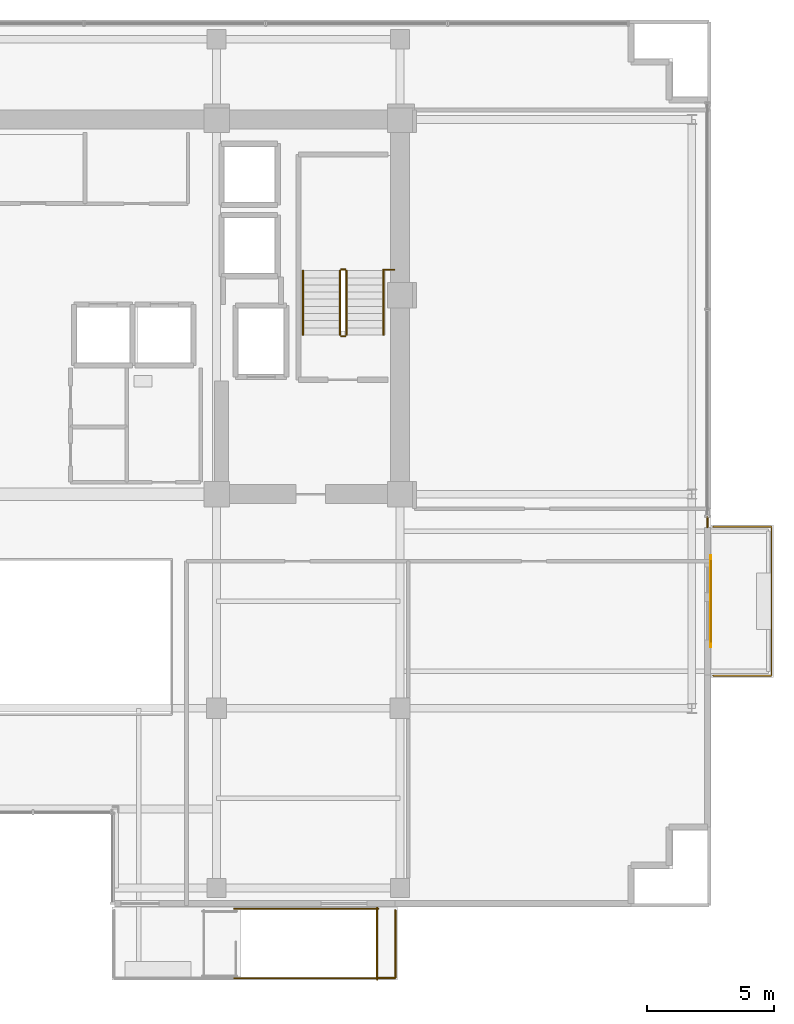
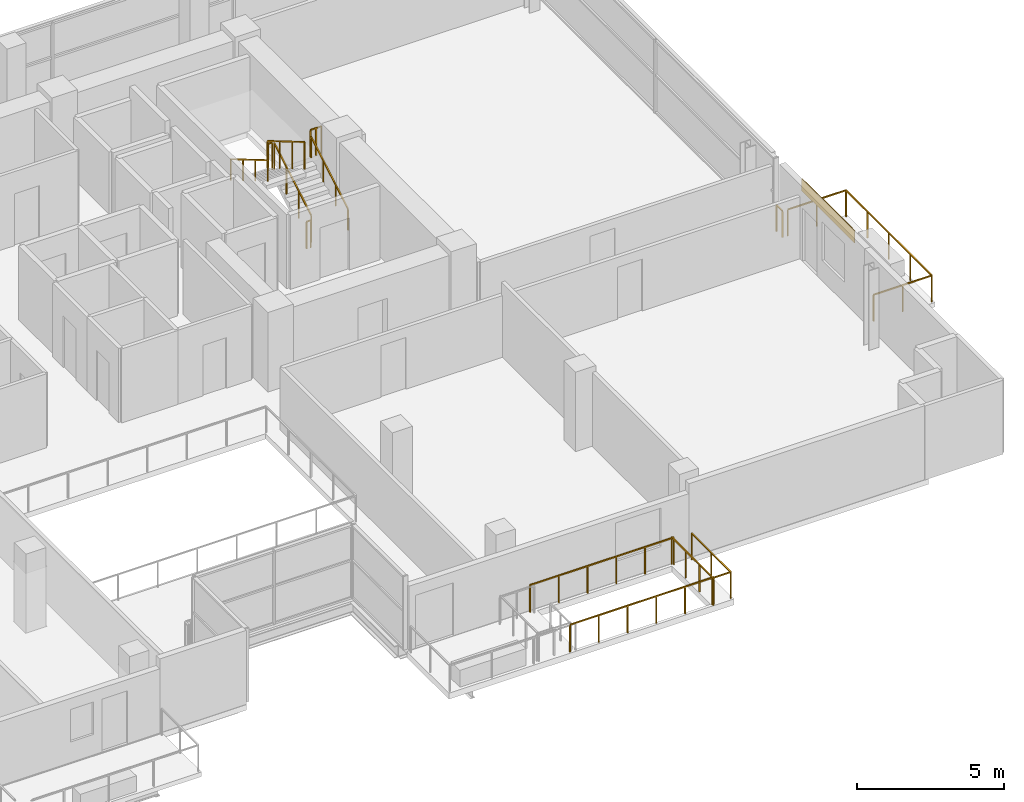
# One storey, part 22 of 23: 13 railings, 1 covering, 1 shading device.
"""IFC4 building model written with IfcOpenShell, lengths in metres."""

from ifc_helpers import new_model, si_unit, direction, frame, origin, origin_2d, place, context, subcontext, project, spatial, rectangle, extrude, source, transform, mapped, material, layer, layer_set, type_object, element, save


model = new_model("IFC4")

# Units and contexts
model_context = context("Model", 3, precision=1e-05, world=origin(), true_north=direction((0.0, 1.0)))
body_context = subcontext(model_context, "Body", "Model", "MODEL_VIEW")
ifc_project = project(units=[si_unit("LENGTHUNIT", "METRE"), si_unit("AREAUNIT", "SQUARE_METRE"), si_unit("VOLUMEUNIT", "CUBIC_METRE"), si_unit("PLANEANGLEUNIT", "RADIAN"), si_unit("MASSUNIT", "GRAM", prefix="KILO")], contexts=[model_context])

# Site, building, storey
site_placement = place(None, origin())
site = spatial("IfcSite", under=ifc_project, at=site_placement, CompositionType="ELEMENT")
building_placement = place(site_placement, origin())
building = spatial("IfcBuilding", under=site, at=building_placement, Name="Zarnakvel Exchange Tower", CompositionType="ELEMENT")
storey_placement = place(building_placement, frame((0.0, 0.0, 175.89990234375)))
storey = spatial("IfcBuildingStorey", under=building, at=storey_placement, Name="L49", CompositionType="ELEMENT", Elevation=175.89990234375)

# Railings
ifc_material_1 = material(Name="Architectural Bronze Anodised Aluminium", Category="aluminium")
railing_type_1 = type_object("IfcRailingType", Name="GR-02", PredefinedType="GUARDRAIL", material=ifc_material_1)
railing_1_placement = place(storey_placement, frame((26.679931640625, -8.320068359375, -0.034912109375)))
element("IfcRailing", 1, at=railing_1_placement, inside=storey, type_object=railing_type_1, Name="L49 Balcony Guardrail BAL-L49-E", PredefinedType="GUARDRAIL", context=body_context, shape_type="SweptSolid", body=[
    extrude(rectangle(XDim=0.048095703125, YDim=0.048095703125, at=origin_2d()), frame((0.0, 0.0, 1.09619140625), z_axis=(1.0, 0.0, 0.0), x_axis=(0.0, 1.0, 0.0)), (0.0, 0.0, 1.0), 2.2900390625),
    extrude(rectangle(XDim=0.048095703125, YDim=0.048095703125, at=origin_2d()), frame((2.2900390625, 0.0, 1.09619140625), z_axis=(0.0, 1.0, 0.0), x_axis=(-1.0, 0.0, 0.0)), (0.0, 0.0, 1.0), 5.840087890625),
    extrude(rectangle(XDim=0.048095703125, YDim=0.048095703125, at=origin_2d()), frame((2.2900390625, 5.840087890625, 1.09619140625), z_axis=(-1.0, 0.0, 0.0), x_axis=(0.0, -1.0, 0.0)), (0.0, 0.0, 1.0), 2.2900390625),
    extrude(rectangle(XDim=0.0419921875, YDim=0.0419921875, at=origin_2d()), origin(), (0.0, 0.0, 1.0), 1.072021484375),
    extrude(rectangle(XDim=0.0419921875, YDim=0.0419921875, at=origin_2d()), frame((1.14501953125, 0.0, 0.0)), (0.0, 0.0, 1.0), 1.072021484375),
    extrude(rectangle(XDim=0.0419921875, YDim=0.0419921875, at=origin_2d()), frame((2.2900390625, 0.0, 0.0)), (0.0, 0.0, 1.0), 1.072021484375),
    extrude(rectangle(XDim=0.0419921875, YDim=0.0419921875, at=origin_2d()), frame((2.2900390625, 1.4599609375, 0.0)), (0.0, 0.0, 1.0), 1.072021484375),
    extrude(rectangle(XDim=0.0419921875, YDim=0.0419921875, at=origin_2d()), frame((2.2900390625, 2.919921875, 0.0)), (0.0, 0.0, 1.0), 1.072021484375),
    extrude(rectangle(XDim=0.0419921875, YDim=0.0419921875, at=origin_2d()), frame((2.2900390625, 4.380126953125, 0.0)), (0.0, 0.0, 1.0), 1.072021484375),
    extrude(rectangle(XDim=0.0419921875, YDim=0.0419921875, at=origin_2d()), frame((2.2900390625, 5.840087890625, 0.0)), (0.0, 0.0, 1.0), 1.072021484375),
    extrude(rectangle(XDim=0.0419921875, YDim=0.0419921875, at=origin_2d()), frame((1.14501953125, 5.840087890625, 0.0)), (0.0, 0.0, 1.0), 1.072021484375),
    extrude(rectangle(XDim=0.0419921875, YDim=0.0419921875, at=origin_2d()), frame((0.0, 5.840087890625, 0.0)), (0.0, 0.0, 1.0), 1.072021484375),
])
railing_2_placement = place(storey_placement, frame((13.489990234375, -20.179931640625, 0.0)))
element("IfcRailing", 2, at=railing_2_placement, inside=storey, type_object=railing_type_1, Name="L49 Spiral Sky-Terrace East Corner Guardrail", PredefinedType="GUARDRAIL", context=body_context, shape_type="SweptSolid", body=[
    extrude(rectangle(XDim=0.048095703125, YDim=0.048095703125, at=origin_2d()), frame((0.0, 0.0, 1.09619140625), z_axis=(1.0, 0.0, 0.0), x_axis=(0.0, 1.0, 0.0)), (0.0, 0.0, 1.0), 0.72998046875),
    extrude(rectangle(XDim=0.048095703125, YDim=0.048095703125, at=origin_2d()), frame((0.72998046875, 0.0, 1.09619140625), z_axis=(0.0, 1.0, 0.0), x_axis=(-1.0, 0.0, 0.0)), (0.0, 0.0, 1.0), 2.659912109375),
    extrude(rectangle(XDim=0.0419921875, YDim=0.0419921875, at=origin_2d()), origin(), (0.0, 0.0, 1.0), 1.072021484375),
    extrude(rectangle(XDim=0.0419921875, YDim=0.0419921875, at=origin_2d()), frame((0.72998046875, 0.0, 0.0)), (0.0, 0.0, 1.0), 1.072021484375),
    extrude(rectangle(XDim=0.0419921875, YDim=0.0419921875, at=origin_2d()), frame((0.72998046875, 1.330078125, 0.0)), (0.0, 0.0, 1.0), 1.072021484375),
    extrude(rectangle(XDim=0.0419921875, YDim=0.0419921875, at=origin_2d()), frame((0.72998046875, 2.659912109375, 0.0)), (0.0, 0.0, 1.0), 1.072021484375),
])
railing_3_placement = place(storey_placement, frame((26.4599609375, -2.10009765625, 0.0)))
element("IfcRailing", 3, at=railing_3_placement, inside=storey, type_object=railing_type_1, Name="L49 Corner Spandrel Balustrade #9", PredefinedType="GUARDRAIL", context=body_context, shape_type="SweptSolid", body=[
    extrude(rectangle(XDim=0.048095703125, YDim=0.048095703125, at=origin_2d()), frame((0.0, 0.0, 1.09619140625), z_axis=(0.0, -1.0, 0.0), x_axis=(1.0, 0.0, 0.0)), (0.0, 0.0, 1.0), 0.39990234375),
    extrude(rectangle(XDim=0.0419921875, YDim=0.0419921875, at=origin_2d()), origin(), (0.0, 0.0, 1.0), 1.072021484375),
    extrude(rectangle(XDim=0.0419921875, YDim=0.0419921875, at=origin_2d()), frame((0.0, -0.39990234375, 0.0)), (0.0, 0.0, 1.0), 1.072021484375),
])
ifc_material_2 = material(Name="Brushed Stainless Steel", Category="steel")
railing_type_2 = type_object("IfcRailingType", Name="HR-01", PredefinedType="HANDRAIL", material=ifc_material_2)
railing_4_placement = place(storey_placement, frame((13.75, 5.050048828125, 0.1650390625)))
element("IfcRailing", 4, at=railing_4_placement, inside=storey, type_object=railing_type_2, Name="L49 ST-02 stair handrail 1", PredefinedType="HANDRAIL", context=body_context, shape_type="SweptSolid", body=[
    extrude(rectangle(XDim=0.048095703125, YDim=0.048095703125, at=origin_2d()), frame((0.0, 0.0, 0.8759765625), z_axis=(0.0, 0.86152411907, 0.507716645641), x_axis=(-1.0, 0.0, 0.0)), (0.0, 0.0, 1.0), 2.925048828125),
    extrude(rectangle(XDim=0.0419921875, YDim=0.0419921875, at=origin_2d()), origin(), (0.0, 0.0, 1.0), 0.851806640625),
    extrude(rectangle(XDim=0.0419921875, YDim=0.0419921875, at=origin_2d()), frame((0.0, 0.840087890625, 0.4951171875)), (0.0, 0.0, 1.0), 0.851806640625),
    extrude(rectangle(XDim=0.0419921875, YDim=0.0419921875, at=origin_2d()), frame((0.0, 1.679931640625, 0.989990234375)), (0.0, 0.0, 1.0), 0.851806640625),
    extrude(rectangle(XDim=0.0419921875, YDim=0.0419921875, at=origin_2d()), frame((0.0, 2.52001953125, 1.485107421875)), (0.0, 0.0, 1.0), 0.851806640625),
])
railing_5_placement = place(storey_placement, frame((10.590087890625, 7.570068359375, 1.815185546875)))
element("IfcRailing", 5, at=railing_5_placement, inside=storey, type_object=railing_type_2, Name="L49 ST-02 stair handrail 2", PredefinedType="HANDRAIL", context=body_context, shape_type="SweptSolid", body=[
    extrude(rectangle(XDim=0.048095703125, YDim=0.048095703125, at=origin_2d()), frame((0.0, 0.0, 0.8759765625), z_axis=(0.0, -0.861560626758, 0.507654692109), x_axis=(1.0, 0.0, 0.0)), (0.0, 0.0, 1.0), 2.925048828125),
    extrude(rectangle(XDim=0.0419921875, YDim=0.0419921875, at=origin_2d()), origin(), (0.0, 0.0, 1.0), 0.851806640625),
    extrude(rectangle(XDim=0.0419921875, YDim=0.0419921875, at=origin_2d()), frame((0.0, -0.840087890625, 0.494873046875)), (0.0, 0.0, 1.0), 0.851806640625),
    extrude(rectangle(XDim=0.0419921875, YDim=0.0419921875, at=origin_2d()), frame((0.0, -1.679931640625, 0.989990234375)), (0.0, 0.0, 1.0), 0.851806640625),
    extrude(rectangle(XDim=0.0419921875, YDim=0.0419921875, at=origin_2d()), frame((0.0, -2.52001953125, 1.48486328125)), (0.0, 0.0, 1.0), 0.851806640625),
])
railing_type_3 = type_object("IfcRailingType", Name="SG-01", PredefinedType="GUARDRAIL", material=ifc_material_1)
railing_6_placement = place(storey_placement, frame((12.300048828125, 5.050048828125, 0.1650390625)))
element("IfcRailing", 6, at=railing_6_placement, inside=storey, type_object=railing_type_3, Name="L49 ST-02 stair guard 1", PredefinedType="GUARDRAIL", context=body_context, shape_type="SweptSolid", body=[
    extrude(rectangle(XDim=0.048095703125, YDim=0.048095703125, at=origin_2d()), frame((0.0, 0.0, 1.1259765625), z_axis=(0.0, 0.86152411907, 0.507716645641), x_axis=(-1.0, 0.0, 0.0)), (0.0, 0.0, 1.0), 2.925048828125),
    extrude(rectangle(XDim=0.0419921875, YDim=0.0419921875, at=origin_2d()), origin(), (0.0, 0.0, 1.0), 1.101806640625),
    extrude(rectangle(XDim=0.0419921875, YDim=0.0419921875, at=origin_2d()), frame((0.0, 0.840087890625, 0.4951171875)), (0.0, 0.0, 1.0), 1.101806640625),
    extrude(rectangle(XDim=0.0419921875, YDim=0.0419921875, at=origin_2d()), frame((0.0, 1.679931640625, 0.989990234375)), (0.0, 0.0, 1.0), 1.101806640625),
    extrude(rectangle(XDim=0.0419921875, YDim=0.0419921875, at=origin_2d()), frame((0.0, 2.52001953125, 1.485107421875)), (0.0, 0.0, 1.0), 1.101806640625),
])
railing_7_placement = place(storey_placement, frame((12.25, 7.6201171875, 1.650146484375)))
element("IfcRailing", 7, at=railing_7_placement, inside=storey, type_object=railing_type_3, Name="L49 ST-02 stair guard 2", PredefinedType="GUARDRAIL", context=body_context, shape_type="SweptSolid", body=[
    extrude(rectangle(XDim=0.048095703125, YDim=0.048095703125, at=origin_2d()), frame((0.0, 0.0, 1.1259765625), z_axis=(-1.0, 0.0, 0.0), x_axis=(0.0, -1.0, 0.0)), (0.0, 0.0, 1.0), 0.159912109375),
    extrude(rectangle(XDim=0.0419921875, YDim=0.0419921875, at=origin_2d()), origin(), (0.0, 0.0, 1.0), 1.101806640625),
    extrude(rectangle(XDim=0.0419921875, YDim=0.0419921875, at=origin_2d()), frame((-0.159912109375, 0.0, 0.0)), (0.0, 0.0, 1.0), 1.101806640625),
])
railing_8_placement = place(storey_placement, frame((12.0400390625, 7.570068359375, 1.815185546875)))
element("IfcRailing", 8, at=railing_8_placement, inside=storey, type_object=railing_type_3, Name="L49 ST-02 stair guard 3", PredefinedType="GUARDRAIL", context=body_context, shape_type="SweptSolid", body=[
    extrude(rectangle(XDim=0.048095703125, YDim=0.048095703125, at=origin_2d()), frame((0.0, 0.0, 1.1259765625), z_axis=(0.0, -0.861560626758, 0.507654692109), x_axis=(1.0, 0.0, 0.0)), (0.0, 0.0, 1.0), 2.925048828125),
    extrude(rectangle(XDim=0.0419921875, YDim=0.0419921875, at=origin_2d()), origin(), (0.0, 0.0, 1.0), 1.101806640625),
    extrude(rectangle(XDim=0.0419921875, YDim=0.0419921875, at=origin_2d()), frame((0.0, -0.840087890625, 0.494873046875)), (0.0, 0.0, 1.0), 1.101806640625),
    extrude(rectangle(XDim=0.0419921875, YDim=0.0419921875, at=origin_2d()), frame((0.0, -1.679931640625, 0.989990234375)), (0.0, 0.0, 1.0), 1.101806640625),
    extrude(rectangle(XDim=0.0419921875, YDim=0.0419921875, at=origin_2d()), frame((0.0, -2.52001953125, 1.48486328125)), (0.0, 0.0, 1.0), 1.101806640625),
])
railing_9_placement = place(storey_placement, frame((12.25, 5.0, 0.0)))
element("IfcRailing", 9, at=railing_9_placement, inside=storey, type_object=railing_type_3, Name="L49 ST-02 stair guard 4", PredefinedType="GUARDRAIL", context=body_context, shape_type="SweptSolid", body=[
    extrude(rectangle(XDim=0.048095703125, YDim=0.048095703125, at=origin_2d()), frame((0.0, 0.0, 1.1259765625), z_axis=(-1.0, 0.0, 0.0), x_axis=(0.0, -1.0, 0.0)), (0.0, 0.0, 1.0), 0.159912109375),
    extrude(rectangle(XDim=0.0419921875, YDim=0.0419921875, at=origin_2d()), origin(), (0.0, 0.0, 1.0), 1.101806640625),
    extrude(rectangle(XDim=0.0419921875, YDim=0.0419921875, at=origin_2d()), frame((-0.159912109375, 0.0, 0.0)), (0.0, 0.0, 1.0), 1.101806640625),
])
railing_10_placement = place(storey_placement, frame((13.75, 7.610107421875, 1.650146484375)))
element("IfcRailing", 10, at=railing_10_placement, inside=storey, type_object=railing_type_3, Name="L49 ST-02 Landing Slot Guardrail", PredefinedType="GUARDRAIL", context=body_context, shape_type="SweptSolid", body=[
    extrude(rectangle(XDim=0.048095703125, YDim=0.048095703125, at=origin_2d()), frame((0.0, 0.0, 1.1259765625), z_axis=(1.0, 0.0, 0.0), x_axis=(0.0, 1.0, 0.0)), (0.0, 0.0, 1.0), 0.429931640625),
    extrude(rectangle(XDim=0.0419921875, YDim=0.0419921875, at=origin_2d()), origin(), (0.0, 0.0, 1.0), 1.101806640625),
    extrude(rectangle(XDim=0.0419921875, YDim=0.0419921875, at=origin_2d()), frame((0.21484375, 0.0, 0.0)), (0.0, 0.0, 1.0), 1.101806640625),
    extrude(rectangle(XDim=0.0419921875, YDim=0.0419921875, at=origin_2d()), frame((0.429931640625, 0.0, 0.0)), (0.0, 0.0, 1.0), 1.101806640625),
])
for number, where, name in (
    (11, (7.89990234375, -20.18994140625, 0.0), "L49 ST-12 top well guard 2"),
    (12, (7.89990234375, -17.469970703125, 0.0), "L49 ST-12 top well guard 3"),
):
    element("IfcRailing", number, at=place(storey_placement, frame(where)), inside=storey, type_object=railing_type_3, Name=name, PredefinedType="GUARDRAIL", context=body_context, shape_type="SweptSolid", body=[
        extrude(rectangle(XDim=0.048095703125, YDim=0.048095703125, at=origin_2d()), frame((0.0, 0.0, 1.1259765625), z_axis=(1.0, 0.0, 0.0), x_axis=(0.0, 1.0, 0.0)), (0.0, 0.0, 1.0), 5.650146484375),
        extrude(rectangle(XDim=0.0419921875, YDim=0.0419921875, at=origin_2d()), origin(), (0.0, 0.0, 1.0), 1.101806640625),
        extrude(rectangle(XDim=0.0419921875, YDim=0.0419921875, at=origin_2d()), frame((1.130126953125, 0.0, 0.0)), (0.0, 0.0, 1.0), 1.101806640625),
        extrude(rectangle(XDim=0.0419921875, YDim=0.0419921875, at=origin_2d()), frame((2.260009765625, 0.0, 0.0)), (0.0, 0.0, 1.0), 1.101806640625),
        extrude(rectangle(XDim=0.0419921875, YDim=0.0419921875, at=origin_2d()), frame((3.39013671875, 0.0, 0.0)), (0.0, 0.0, 1.0), 1.101806640625),
        extrude(rectangle(XDim=0.0419921875, YDim=0.0419921875, at=origin_2d()), frame((4.52001953125, 0.0, 0.0)), (0.0, 0.0, 1.0), 1.101806640625),
        extrude(rectangle(XDim=0.0419921875, YDim=0.0419921875, at=origin_2d()), frame((5.650146484375, 0.0, 0.0)), (0.0, 0.0, 1.0), 1.101806640625),
    ])
railing_11_placement = place(storey_placement, frame((13.5, -20.239990234375, 0.0)))
element("IfcRailing", 13, at=railing_11_placement, inside=storey, type_object=railing_type_3, Name="L49 ST-12 top well guard 4", PredefinedType="GUARDRAIL", context=body_context, shape_type="SweptSolid", body=[
    extrude(rectangle(XDim=0.048095703125, YDim=0.048095703125, at=origin_2d()), frame((0.0, 0.0, 1.1259765625), z_axis=(0.0, 1.0, 0.0), x_axis=(-1.0, 0.0, 0.0)), (0.0, 0.0, 1.0), 2.820068359375),
    extrude(rectangle(XDim=0.0419921875, YDim=0.0419921875, at=origin_2d()), origin(), (0.0, 0.0, 1.0), 1.101806640625),
    extrude(rectangle(XDim=0.0419921875, YDim=0.0419921875, at=origin_2d()), frame((0.0, 0.93994140625, 0.0)), (0.0, 0.0, 1.0), 1.101806640625),
    extrude(rectangle(XDim=0.0419921875, YDim=0.0419921875, at=origin_2d()), frame((0.0, 1.880126953125, 0.0)), (0.0, 0.0, 1.0), 1.101806640625),
    extrude(rectangle(XDim=0.0419921875, YDim=0.0419921875, at=origin_2d()), frame((0.0, 2.820068359375, 0.0)), (0.0, 0.0, 1.0), 1.101806640625),
])

# Shading device
ifc_material_3 = material(Name="Perforated Architectural Bronze Screen", Category="aluminium")
ifc_layer_1 = layer(ifc_material_3, 0.044921875)
ifc_layer_set_1 = layer_set([ifc_layer_1], Name="Perforated Architectural Bronze Screen")
shading_device_type = type_object("IfcShadingDeviceType", Name="SS-01", PredefinedType="JALOUSIE", material=ifc_layer_set_1)
shared_shape_1 = source(origin(), body_context, "Body", "SweptSolid", [
    extrude(rectangle(XDim=3.199951171875, YDim=0.044921875, at=origin_2d()), origin(), (0.0, 0.0, 1.0), 0.4951171875),
])
shading_device_placement = place(storey_placement, frame((26.6005859375, -5.39990234375, 2.56005859375), z_axis=(0.0, 0.0, 1.0), x_axis=(0.0, -1.0, 0.0)))
element("IfcShadingDevice", 14, at=shading_device_placement, inside=storey, type_object=shading_device_type, Name="L49 Bronze Solar Shading Screen SS-01", PredefinedType="JALOUSIE", context=body_context, shape_type="MappedRepresentation", body=[
    mapped(shared_shape_1, transform((0.0, 0.0, 0.0), x_axis=(1.0, 0.0, 0.0), y_axis=(0.0, 1.0, 0.0), z_axis=(0.0, 0.0, 1.0), scale=1.0)),
])

# Covering
ifc_material_4 = material(Name="Glazed Turquoise Ceramic Architectural Tile", Category="ceramic")
ifc_layer_2 = layer(ifc_material_4, 0.028076171875)
ifc_layer_set_2 = layer_set([ifc_layer_2], Name="Glazed Turquoise Ceramic Architectural Tile")
covering_type = type_object("IfcCoveringType", Name="CL-01", PredefinedType="CLADDING", material=ifc_layer_set_2)
shared_shape_2 = source(origin(), body_context, "Body", "SweptSolid", [
    extrude(rectangle(XDim=3.60009765625, YDim=0.028076171875, at=origin_2d()), origin(), (0.0, 0.0, 1.0), 0.4951171875),
])
covering_placement = place(storey_placement, frame((26.592041015625, -5.39990234375, 2.56005859375), z_axis=(0.0, 0.0, 1.0), x_axis=(0.0, -1.0, 0.0)))
element("IfcCovering", 15, at=covering_placement, inside=storey, type_object=covering_type, Name="L49 Ceramic Spandrel Tilework CL-01", PredefinedType="CLADDING", context=body_context, shape_type="MappedRepresentation", body=[
    mapped(shared_shape_2, transform((0.0, 0.0, 0.0), x_axis=(1.0, 0.0, 0.0), y_axis=(0.0, 1.0, 0.0), z_axis=(0.0, 0.0, 1.0), scale=1.0)),
])

save(model, "model.ifc")
